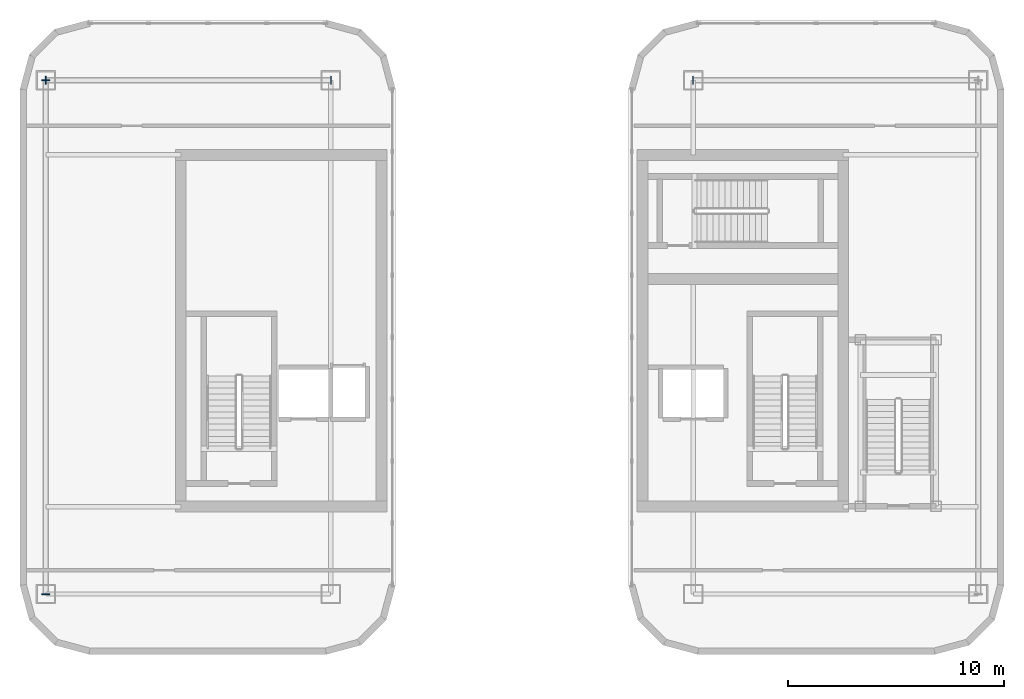
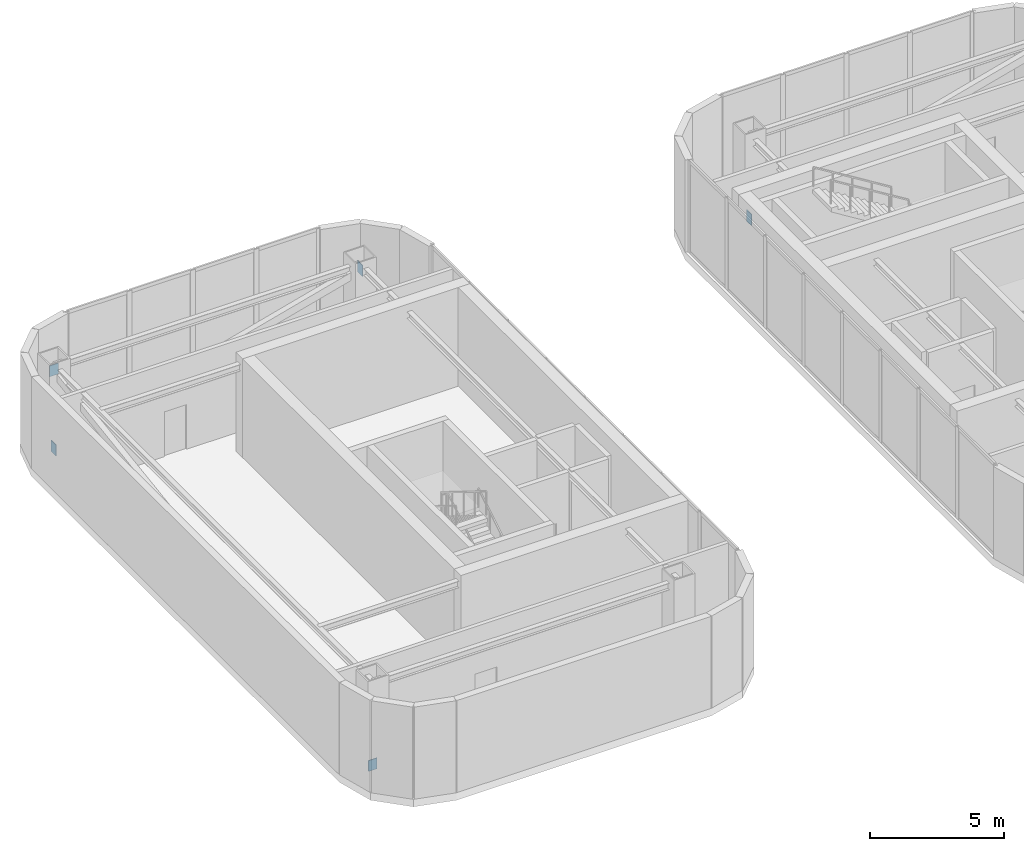
# One storey, part 9 of 14: 5 plates.
"""IFC4 building model written with IfcOpenShell, lengths in metres."""

from ifc_helpers import new_model, si_unit, direction, frame, origin, origin_2d, place, context, subcontext, project, spatial, rectangle, extrude, material, layer, layer_set, type_object, element, save


model = new_model("IFC4")

# Units and contexts
model_context = context("Model", 3, precision=1e-05, world=origin(), true_north=direction((0.0, 1.0)))
body_context = subcontext(model_context, "Body", "Model", "MODEL_VIEW")
ifc_project = project(units=[si_unit("LENGTHUNIT", "METRE"), si_unit("AREAUNIT", "SQUARE_METRE"), si_unit("VOLUMEUNIT", "CUBIC_METRE"), si_unit("PLANEANGLEUNIT", "RADIAN"), si_unit("MASSUNIT", "GRAM", prefix="KILO")], contexts=[model_context])

# Site, building, storey
site_placement = place(None, origin())
site = spatial("IfcSite", under=ifc_project, at=site_placement, CompositionType="ELEMENT")
building_placement = place(site_placement, origin())
building = spatial("IfcBuilding", under=site, at=building_placement, Name="Kiyonajd Concourse Tower", CompositionType="ELEMENT")
storey_placement = place(building_placement, frame((0.0, 0.0, 359.39990234375)))
storey = spatial("IfcBuildingStorey", under=building, at=storey_placement, Name="L90", CompositionType="ELEMENT", Elevation=359.39990234375)

# Plates
ifc_material = material(Name="Steel ASTM A572 Grade 50", Category="steel")
ifc_layer = layer(ifc_material, 0.028076171875)
ifc_layer_set = layer_set([ifc_layer], Name="Steel ASTM A572 Grade 50")
plate_type = type_object("IfcPlateType", Name="PL-CAP-450", PredefinedType="USERDEFINED", material=ifc_layer_set)
for number, where, z_axis, x_axis, name in (
    (1, (26.389404296875, 47.60009765625, 0.046142578125), (0.0, 0.0, 1.0), (-1.0, 0.0, 0.0), "L90 Crown Wind Brace Cap"),
    (2, (39.610595703125, 47.60009765625, 3.60205078125), (0.0, 0.0, 1.0), (1.0, 0.0, 0.0), "L90 Crown Wind Brace Cap"),
):
    element("IfcPlate", number, at=place(storey_placement, frame(where, z_axis=z_axis, x_axis=x_axis)), inside=storey, type_object=plate_type, Name=name, ObjectType="CAP PLATE", PredefinedType="USERDEFINED", context=body_context, shape_type="SweptSolid", body=[
        extrude(rectangle(XDim=0.035888671875, YDim=0.3701171875, at=origin_2d()), origin(), (0.0, 0.0, 1.0), 0.501953125),
    ])
for number, where, z_axis, x_axis, name in (
    (3, (26.39990234375, 23.7890625, 0.0517578125), (0.0, 0.0, 1.0), (0.0, -1.0, 0.0), "L90 Crown Wind Brace Cap"),
    (4, (26.39990234375, 47.61083984375, 3.60498046875), (0.0, 0.0, 1.0), (0.0, 1.0, 0.0), "L90 Crown Wind Brace Cap"),
):
    element("IfcPlate", number, at=place(storey_placement, frame(where, z_axis=z_axis, x_axis=x_axis)), inside=storey, type_object=plate_type, Name=name, ObjectType="CAP PLATE", PredefinedType="USERDEFINED", context=body_context, shape_type="SweptSolid", body=[
        extrude(rectangle(XDim=0.035888671875, YDim=0.3701171875, at=origin_2d()), origin(), (0.0, 0.0, 1.0), 0.493896484375),
    ])
plate_placement = place(storey_placement, frame((56.389404296875, 47.60009765625, 0.046142578125), z_axis=(0.0, 0.0, 1.0), x_axis=(-1.0, 0.0, 0.0)))
element("IfcPlate", 5, at=plate_placement, inside=storey, type_object=plate_type, Name="L90 Crown Wind Brace Cap", ObjectType="CAP PLATE", PredefinedType="USERDEFINED", context=body_context, shape_type="SweptSolid", body=[
    extrude(rectangle(XDim=0.035888671875, YDim=0.3701171875, at=origin_2d()), origin(), (0.0, 0.0, 1.0), 0.501953125),
])

save(model, "model.ifc")
